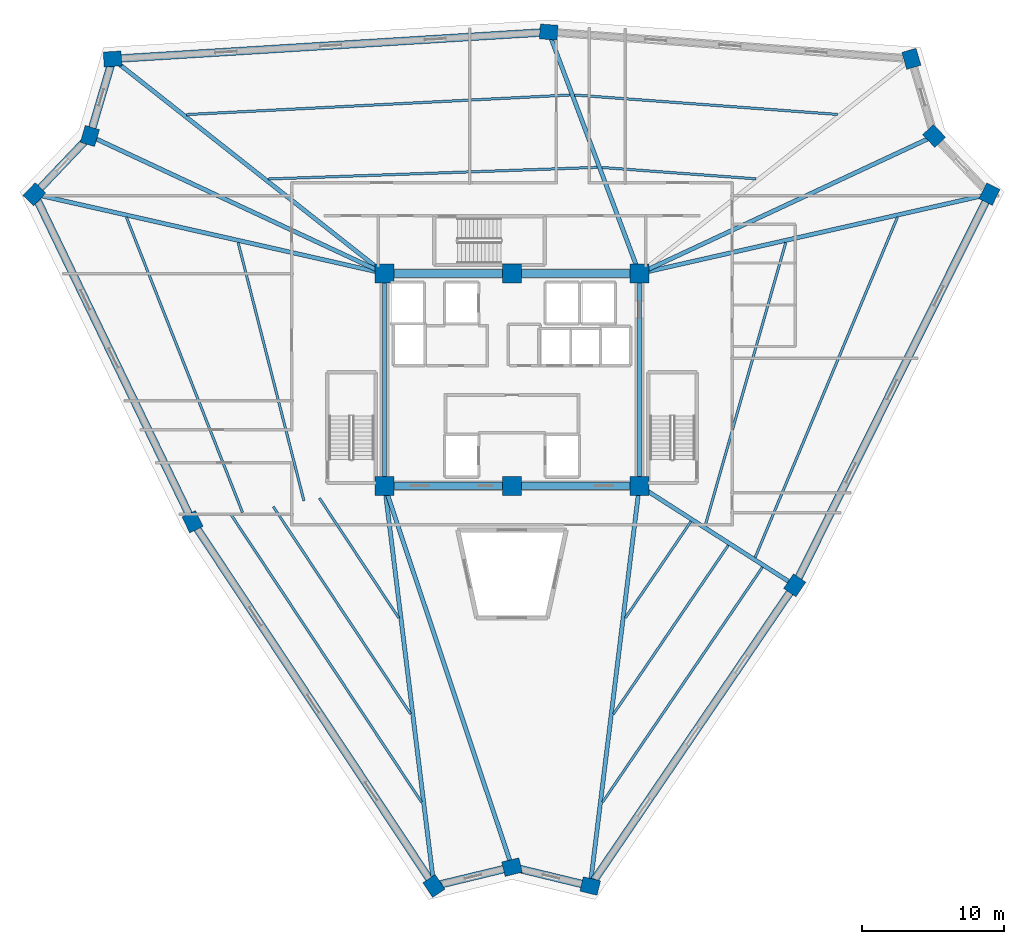
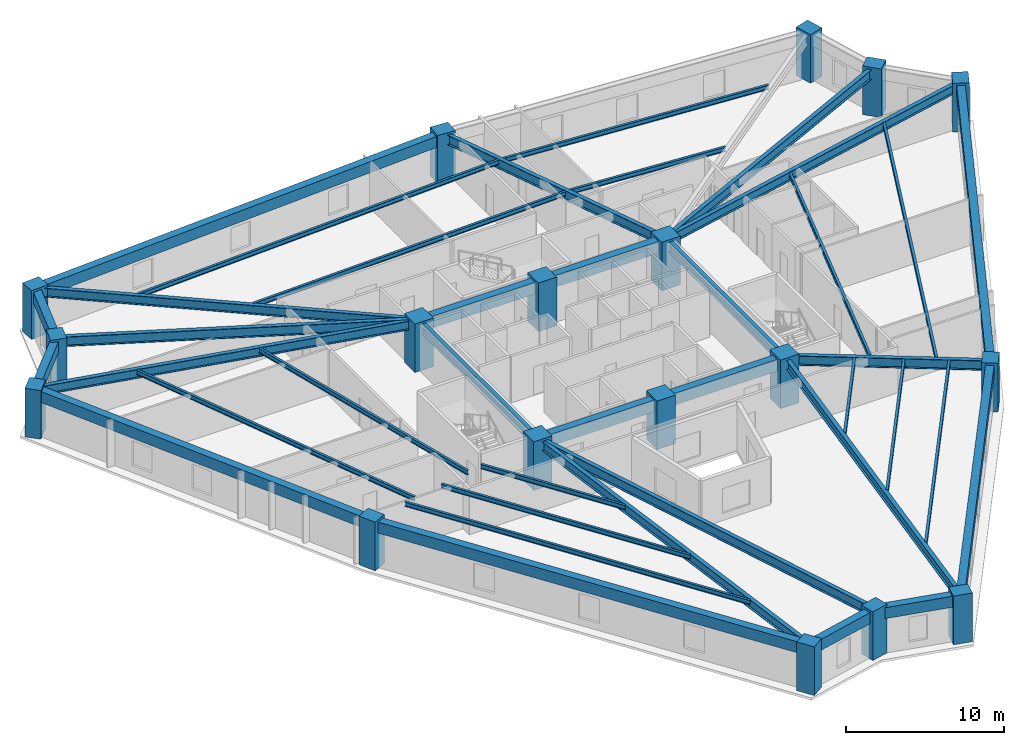
# One storey, part 1 of 8: 39 beams, 18 columns.
"""IFC4 building model written with IfcOpenShell, lengths in metres."""

from ifc_helpers import new_model, si_unit, direction, frame, origin, origin_2d, place, context, subcontext, project, spatial, rectangle, i_section, extrude, source, transform, mapped, material, material_profile, profile_set, type_object, element, save


model = new_model("IFC4")

# Units and contexts
model_context = context("Model", 3, precision=1e-05, world=origin(), true_north=direction((0.0, 1.0)))
body_context = subcontext(model_context, "Body", "Model", "MODEL_VIEW")
ifc_project = project(units=[si_unit("LENGTHUNIT", "METRE"), si_unit("AREAUNIT", "SQUARE_METRE"), si_unit("VOLUMEUNIT", "CUBIC_METRE"), si_unit("PLANEANGLEUNIT", "RADIAN"), si_unit("MASSUNIT", "GRAM", prefix="KILO")], contexts=[model_context])

# Site, building, storey
site_placement = place(None, origin())
site = spatial("IfcSite", under=ifc_project, at=site_placement, CompositionType="ELEMENT")
building_placement = place(site_placement, origin())
building = spatial("IfcBuilding", under=site, at=building_placement, Name="Liaohun Quay Tower", CompositionType="ELEMENT")
storey_placement = place(building_placement, frame((0.0, 0.0, 205.5)))
storey = spatial("IfcBuildingStorey", under=building, at=storey_placement, Name="L53", CompositionType="ELEMENT", Elevation=205.5)

# Columns
ifc_material_1 = material(Name="Concrete C55", Category="concrete")
ifc_material_profile_1 = material_profile(ifc_material_1, rectangle(XDim=1.35009765625, YDim=1.35009765625, at=origin_2d()), Name="RC1350x1350")
ifc_profile_set_1 = profile_set([ifc_material_profile_1], Name="Concrete C55")
column_type_1 = type_object("IfcColumnType", Name="COL-CC-Z3", PredefinedType="COLUMN", material=ifc_profile_set_1)
shared_shape_1 = source(origin(), body_context, "Body", "SweptSolid", [
    extrude(rectangle(XDim=1.35009765625, YDim=1.35009765625, at=origin_2d()), origin(), (0.0, 0.0, 1.0), 3.75),
])
for number, where, z_axis, x_axis, name in (
    (1, (51.0, 46.5, 0.0), (0.0, 0.0, 1.0), (1.0, 0.0, 0.0), "L53 Core Column CC1"),
    (2, (60.0, 46.5, 0.0), (0.0, 0.0, 1.0), (1.0, 0.0, 0.0), "L53 Core Column CC2"),
    (3, (69.0, 46.5, 0.0), (0.0, 0.0, 1.0), (1.0, 0.0, 0.0), "L53 Core Column CC3"),
    (4, (69.0, 61.5, 0.0), (0.0, 0.0, 1.0), (1.0, 0.0, 0.0), "L53 Core Column CC4"),
    (5, (60.0, 61.5, 0.0), (0.0, 0.0, 1.0), (1.0, 0.0, 0.0), "L53 Core Column CC5"),
    (6, (51.0, 61.5, 0.0), (0.0, 0.0, 1.0), (1.0, 0.0, 0.0), "L53 Core Column CC6"),
):
    element("IfcColumn", number, at=place(storey_placement, frame(where, z_axis=z_axis, x_axis=x_axis)), inside=storey, type_object=column_type_1, Name=name, PredefinedType="COLUMN", context=body_context, shape_type="MappedRepresentation", body=[
        mapped(shared_shape_1, transform((0.0, 0.0, 0.0), x_axis=(1.0, 0.0, 0.0), y_axis=(0.0, 1.0, 0.0), z_axis=(0.0, 0.0, 1.0), scale=1.0)),
    ])
ifc_material_profile_2 = material_profile(ifc_material_1, rectangle(XDim=1.25, YDim=1.050048828125, at=origin_2d()), Name="RC1250x1050")
ifc_profile_set_2 = profile_set([ifc_material_profile_2], Name="Concrete C55")
column_type_2 = type_object("IfcColumnType", Name="COL-PIER-Z3", PredefinedType="COLUMN", material=ifc_profile_set_2)
shared_shape_2 = source(origin(), body_context, "Body", "SweptSolid", [
    extrude(rectangle(XDim=1.25, YDim=1.050048828125, at=origin_2d()), origin(), (0.0, 0.0, 1.0), 3.75),
])
for number, where, z_axis, x_axis, name in (
    (7, (54.48388671875, 18.22998046875, 0.0), (0.0, 0.0, 1.0), (-0.552373531229, 0.833596714243, 0.0), "L53 Perimeter Pier PC01"),
    (8, (37.431884765625, 43.964111328125, 0.0), (0.0, 0.0, 1.0), (-0.434916802325, 0.900470640862, 0.0), "L53 Perimeter Pier PC02"),
    (9, (26.259033203125, 67.10302734375, 0.0), (0.0, 0.0, 1.0), (0.68936671806, 0.724412539946, 0.0), "L53 Perimeter Pier PC03"),
    (10, (30.176025390625, 71.218994140625, 0.0), (0.0, 0.0, 1.0), (0.282676303383, 0.959215360337, 0.0), "L53 Perimeter Pier PC04"),
    (11, (31.780029296875, 76.662109375, 0.0), (0.0, 0.0, 1.0), (0.998102696661, 0.061571153301, 0.0), "L53 Perimeter Pier PC05"),
    (12, (62.593017578125, 78.56201171875, 0.0), (0.0, 0.0, 1.0), (-0.997288851512, 0.073586321085, 0.0), "L53 Perimeter Pier PC06"),
    (13, (88.218017578125, 76.669921875, 0.0), (0.0, 0.0, 1.0), (-0.282676303383, 0.959215360337, 0.0), "L53 Perimeter Pier PC07"),
    (14, (89.823974609375, 71.218994140625, 0.0), (0.0, 0.0, 1.0), (-0.68936671806, 0.724412539946, 0.0), "L53 Perimeter Pier PC08"),
    (15, (93.736083984375, 67.10888671875, 0.0), (0.0, 0.0, 1.0), (0.445729165431, 0.895167867544, 0.0), "L53 Perimeter Pier PC09"),
    (16, (79.97509765625, 39.472900390625, 0.0), (0.0, 0.0, 1.0), (0.562516359159, 0.826786154745, 0.0), "L53 Perimeter Pier PC10"),
    (17, (65.52294921875, 18.22802734375, 0.0), (0.0, 0.0, 1.0), (-0.972043021443, 0.234802820391, 0.0), "L53 Perimeter Pier PC11"),
    (18, (60.0, 19.56201171875, 0.0), (0.0, 0.0, 1.0), (0.972043021443, 0.234802820391, 0.0), "L53 Perimeter Pier PC12"),
):
    element("IfcColumn", number, at=place(storey_placement, frame(where, z_axis=z_axis, x_axis=x_axis)), inside=storey, type_object=column_type_2, Name=name, PredefinedType="COLUMN", context=body_context, shape_type="MappedRepresentation", body=[
        mapped(shared_shape_2, transform((0.0, 0.0, 0.0), x_axis=(1.0, 0.0, 0.0), y_axis=(0.0, 1.0, 0.0), z_axis=(0.0, 0.0, 1.0), scale=1.0)),
    ])

# Beams
ifc_material_2 = material(Name="Steel Q355D", Category="steel")
ifc_material_profile_3 = material_profile(ifc_material_2, i_section(OverallWidth=0.300048828125, OverallDepth=0.800048828125, WebThickness=0.013916015625, FlangeThickness=0.02587890625, at=origin_2d()), Name="HN800x300x14x26")
ifc_profile_set_3 = profile_set([ifc_material_profile_3], Name="Steel Q355D")
beam_type_1 = type_object("IfcBeamType", Name="BM-RAD-M1", PredefinedType="BEAM", material=ifc_profile_set_3)
shared_shape_3 = source(origin(), body_context, "Body", "SweptSolid", [
    extrude(i_section(OverallWidth=0.300048828125, OverallDepth=0.800048828125, WebThickness=0.013916015625, FlangeThickness=0.02587890625, at=origin_2d()), origin(), (0.0, 0.0, 1.0), 15.0),
])
for number, where, z_axis, x_axis, name in (
    (19, (69.0, 46.5, 3.169921875), (0.0, 1.0, 0.0), (-1.0, 0.0, 0.0), "L53 Core Coupling/Ring Beam CC3-CC4"),
    (20, (51.0, 61.5, 3.169921875), (0.0, -1.0, 0.0), (1.0, 0.0, 0.0), "L53 Core Coupling/Ring Beam CC6-CC1"),
):
    element("IfcBeam", number, at=place(storey_placement, frame(where, z_axis=z_axis, x_axis=x_axis)), inside=storey, type_object=beam_type_1, Name=name, PredefinedType="BEAM", context=body_context, shape_type="MappedRepresentation", body=[
        mapped(shared_shape_3, transform((0.0, 0.0, 0.0), x_axis=(1.0, 0.0, 0.0), y_axis=(0.0, 1.0, 0.0), z_axis=(0.0, 0.0, 1.0), scale=1.0)),
    ])
ifc_material_profile_4 = material_profile(ifc_material_1, rectangle(XDim=0.550048828125, YDim=0.89990234375, at=origin_2d()), Name="RC550x900")
ifc_profile_set_4 = profile_set([ifc_material_profile_4], Name="Concrete C55")
beam_type_2 = type_object("IfcBeamType", Name="BM-CPL-2", PredefinedType="LINTEL", material=ifc_profile_set_4)
shared_shape_4 = source(origin(), body_context, "Body", "SweptSolid", [
    extrude(rectangle(XDim=0.550048828125, YDim=0.89990234375, at=origin_2d()), origin(), (0.0, 0.0, 1.0), 9.0),
])
for number, where, z_axis, x_axis, name in (
    (21, (51.0, 46.5, 3.1201171875), (1.0, 0.0, 0.0), (0.0, 1.0, 0.0), "L53 Core Coupling/Ring Beam CC1-CC2"),
    (22, (60.0, 46.5, 3.1201171875), (1.0, 0.0, 0.0), (0.0, 1.0, 0.0), "L53 Core Coupling/Ring Beam CC2-CC3"),
    (23, (69.0, 61.5, 3.1201171875), (-1.0, 0.0, 0.0), (0.0, -1.0, 0.0), "L53 Core Coupling/Ring Beam CC4-CC5"),
    (24, (60.0, 61.5, 3.1201171875), (-1.0, 0.0, 0.0), (0.0, -1.0, 0.0), "L53 Core Coupling/Ring Beam CC5-CC6"),
):
    element("IfcBeam", number, at=place(storey_placement, frame(where, z_axis=z_axis, x_axis=x_axis)), inside=storey, type_object=beam_type_2, Name=name, PredefinedType="LINTEL", context=body_context, shape_type="MappedRepresentation", body=[
        mapped(shared_shape_4, transform((0.0, 0.0, 0.0), x_axis=(1.0, 0.0, 0.0), y_axis=(0.0, 1.0, 0.0), z_axis=(0.0, 0.0, 1.0), scale=1.0)),
    ])
ifc_material_profile_5 = material_profile(ifc_material_2, i_section(OverallWidth=0.300048828125, OverallDepth=0.699951171875, WebThickness=0.012939453125, FlangeThickness=0.02392578125, at=origin_2d()), Name="HN700x300x13x24")
ifc_profile_set_5 = profile_set([ifc_material_profile_5], Name="Steel Q355D")
beam_type_3 = type_object("IfcBeamType", Name="BM-RAD-U1", PredefinedType="BEAM", material=ifc_profile_set_5)
shared_shape_5 = source(origin(), body_context, "Body", "SweptSolid", [
    extrude(i_section(OverallWidth=0.300048828125, OverallDepth=0.699951171875, WebThickness=0.012939453125, FlangeThickness=0.02392578125, at=origin_2d()), origin(), (0.0, 0.0, 1.0), 28.48388671875),
])
beam_1_placement = place(storey_placement, frame((51.0, 46.5, 3.219970703125), z_axis=(0.122310816118, -0.992491845942, 0.0), x_axis=(0.992491845942, 0.122310816118, 0.0)))
element("IfcBeam", 25, at=beam_1_placement, inside=storey, type_object=beam_type_3, Name="L53 Radial Primary Girder CC1-PC01", PredefinedType="BEAM", context=body_context, shape_type="MappedRepresentation", body=[
    mapped(shared_shape_5, transform((0.0, 0.0, 0.0), x_axis=(1.0, 0.0, 0.0), y_axis=(0.0, 1.0, 0.0), z_axis=(0.0, 0.0, 1.0), scale=1.0)),
])
shared_shape_6 = source(origin(), body_context, "Body", "SweptSolid", [
    extrude(i_section(OverallWidth=0.300048828125, OverallDepth=0.699951171875, WebThickness=0.012939453125, FlangeThickness=0.02392578125, at=origin_2d()), origin(), (0.0, 0.0, 1.0), 25.367431640625),
])
beam_2_placement = place(storey_placement, frame((51.0, 61.5, 3.219970703125), z_axis=(-0.975302268925, 0.220874362998, 0.0), x_axis=(-0.220874362998, -0.975302268925, 0.0)))
element("IfcBeam", 26, at=beam_2_placement, inside=storey, type_object=beam_type_3, Name="L53 Radial Primary Girder CC6-PC03", PredefinedType="BEAM", context=body_context, shape_type="MappedRepresentation", body=[
    mapped(shared_shape_6, transform((0.0, 0.0, 0.0), x_axis=(1.0, 0.0, 0.0), y_axis=(0.0, 1.0, 0.0), z_axis=(0.0, 0.0, 1.0), scale=1.0)),
])
ifc_material_profile_6 = material_profile(ifc_material_2, i_section(OverallWidth=0.300048828125, OverallDepth=0.75, WebThickness=0.013916015625, FlangeThickness=0.02587890625, at=origin_2d()), Name="HN750x300x14x26")
ifc_profile_set_6 = profile_set([ifc_material_profile_6], Name="Steel Q355D")
beam_type_4 = type_object("IfcBeamType", Name="BM-RAD-M2", PredefinedType="BEAM", material=ifc_profile_set_6)
shared_shape_7 = source(origin(), body_context, "Body", "SweptSolid", [
    extrude(i_section(OverallWidth=0.300048828125, OverallDepth=0.75, WebThickness=0.013916015625, FlangeThickness=0.02587890625, at=origin_2d()), origin(), (0.0, 0.0, 1.0), 22.98046875),
])
for number, where, z_axis, x_axis, name in (
    (27, (51.0, 61.5, 3.195068359375), (-0.906164140165, 0.422926176867, 0.0), (-0.422926176867, -0.906164140165, 0.0), "L53 Radial Primary Girder CC6-PC04"),
    (28, (69.0, 61.5, 3.195068359375), (0.906164140165, 0.422926176867, 0.0), (-0.422926176867, 0.906164140165, 0.0), "L53 Radial Primary Girder CC4-PC08"),
):
    element("IfcBeam", number, at=place(storey_placement, frame(where, z_axis=z_axis, x_axis=x_axis)), inside=storey, type_object=beam_type_4, Name=name, PredefinedType="BEAM", context=body_context, shape_type="MappedRepresentation", body=[
        mapped(shared_shape_7, transform((0.0, 0.0, 0.0), x_axis=(1.0, 0.0, 0.0), y_axis=(0.0, 1.0, 0.0), z_axis=(0.0, 0.0, 1.0), scale=1.0)),
    ])
shared_shape_8 = source(origin(), body_context, "Body", "SweptSolid", [
    extrude(i_section(OverallWidth=0.300048828125, OverallDepth=0.699951171875, WebThickness=0.012939453125, FlangeThickness=0.02392578125, at=origin_2d()), origin(), (0.0, 0.0, 1.0), 24.48046875),
])
beam_3_placement = place(storey_placement, frame((51.0, 61.5, 3.219970703125), z_axis=(-0.785112206262, 0.619353552972, 0.0), x_axis=(-0.619353552972, -0.785112206262, 0.0)))
element("IfcBeam", 29, at=beam_3_placement, inside=storey, type_object=beam_type_3, Name="L53 Radial Primary Girder CC6-PC05", PredefinedType="BEAM", context=body_context, shape_type="MappedRepresentation", body=[
    mapped(shared_shape_8, transform((0.0, 0.0, 0.0), x_axis=(1.0, 0.0, 0.0), y_axis=(0.0, 1.0, 0.0), z_axis=(0.0, 0.0, 1.0), scale=1.0)),
])
shared_shape_9 = source(origin(), body_context, "Body", "SweptSolid", [
    extrude(i_section(OverallWidth=0.300048828125, OverallDepth=0.75, WebThickness=0.013916015625, FlangeThickness=0.02587890625, at=origin_2d()), origin(), (0.0, 0.0, 1.0), 18.225341796875),
])
beam_4_placement = place(storey_placement, frame((69.0, 61.5, 3.195068359375), z_axis=(-0.351543260444, 0.936171638129, 0.0), x_axis=(-0.936171638129, -0.351543260444, 0.0)))
element("IfcBeam", 30, at=beam_4_placement, inside=storey, type_object=beam_type_4, Name="L53 Radial Primary Girder CC4-PC06", PredefinedType="BEAM", context=body_context, shape_type="MappedRepresentation", body=[
    mapped(shared_shape_9, transform((0.0, 0.0, 0.0), x_axis=(1.0, 0.0, 0.0), y_axis=(0.0, 1.0, 0.0), z_axis=(0.0, 0.0, 1.0), scale=1.0)),
])
shared_shape_10 = source(origin(), body_context, "Body", "SweptSolid", [
    extrude(i_section(OverallWidth=0.300048828125, OverallDepth=0.699951171875, WebThickness=0.012939453125, FlangeThickness=0.02392578125, at=origin_2d()), origin(), (0.0, 0.0, 1.0), 25.364013671875),
])
beam_5_placement = place(storey_placement, frame((69.0, 61.5, 3.219970703125), z_axis=(0.975243077995, 0.221135566615, 0.0), x_axis=(-0.221135566615, 0.975243077995, 0.0)))
element("IfcBeam", 31, at=beam_5_placement, inside=storey, type_object=beam_type_3, Name="L53 Radial Primary Girder CC4-PC09", PredefinedType="BEAM", context=body_context, shape_type="MappedRepresentation", body=[
    mapped(shared_shape_10, transform((0.0, 0.0, 0.0), x_axis=(1.0, 0.0, 0.0), y_axis=(0.0, 1.0, 0.0), z_axis=(0.0, 0.0, 1.0), scale=1.0)),
])
shared_shape_11 = source(origin(), body_context, "Body", "SweptSolid", [
    extrude(i_section(OverallWidth=0.300048828125, OverallDepth=0.75, WebThickness=0.013916015625, FlangeThickness=0.02587890625, at=origin_2d()), origin(), (0.0, 0.0, 1.0), 13.031982421875),
])
beam_6_placement = place(storey_placement, frame((69.0, 46.5, 3.195068359375), z_axis=(0.842165572756, -0.539219016787, 0.0), x_axis=(0.539219016787, 0.842165572756, 0.0)))
element("IfcBeam", 32, at=beam_6_placement, inside=storey, type_object=beam_type_4, Name="L53 Radial Primary Girder CC3-PC10", PredefinedType="BEAM", context=body_context, shape_type="MappedRepresentation", body=[
    mapped(shared_shape_11, transform((0.0, 0.0, 0.0), x_axis=(1.0, 0.0, 0.0), y_axis=(0.0, 1.0, 0.0), z_axis=(0.0, 0.0, 1.0), scale=1.0)),
])
shared_shape_12 = source(origin(), body_context, "Body", "SweptSolid", [
    extrude(i_section(OverallWidth=0.300048828125, OverallDepth=0.699951171875, WebThickness=0.012939453125, FlangeThickness=0.02392578125, at=origin_2d()), origin(), (0.0, 0.0, 1.0), 28.48486328125),
])
beam_7_placement = place(storey_placement, frame((69.0, 46.5, 3.219970703125), z_axis=(-0.122066095149, -0.992521973769, 0.0), x_axis=(0.992521973769, -0.122066095149, 0.0)))
element("IfcBeam", 33, at=beam_7_placement, inside=storey, type_object=beam_type_3, Name="L53 Radial Primary Girder CC3-PC11", PredefinedType="BEAM", context=body_context, shape_type="MappedRepresentation", body=[
    mapped(shared_shape_12, transform((0.0, 0.0, 0.0), x_axis=(1.0, 0.0, 0.0), y_axis=(0.0, 1.0, 0.0), z_axis=(0.0, 0.0, 1.0), scale=1.0)),
])
shared_shape_13 = source(origin(), body_context, "Body", "SweptSolid", [
    extrude(i_section(OverallWidth=0.300048828125, OverallDepth=0.75, WebThickness=0.013916015625, FlangeThickness=0.02587890625, at=origin_2d()), origin(), (0.0, 0.0, 1.0), 28.401611328125),
])
beam_8_placement = place(storey_placement, frame((51.0, 46.5, 3.195068359375), z_axis=(0.316882705348, -0.948464733689, 0.0), x_axis=(0.948464733689, 0.316882705348, 0.0)))
element("IfcBeam", 34, at=beam_8_placement, inside=storey, type_object=beam_type_4, Name="L53 Radial Primary Girder CC1-PC12", PredefinedType="BEAM", context=body_context, shape_type="MappedRepresentation", body=[
    mapped(shared_shape_13, transform((0.0, 0.0, 0.0), x_axis=(1.0, 0.0, 0.0), y_axis=(0.0, 1.0, 0.0), z_axis=(0.0, 0.0, 1.0), scale=1.0)),
])
ifc_material_profile_7 = material_profile(ifc_material_2, i_section(OverallWidth=0.175048828125, OverallDepth=0.35009765625, WebThickness=0.007080078125, FlangeThickness=0.010986328125, at=origin_2d()), Name="HN350x175x7x11")
ifc_profile_set_7 = profile_set([ifc_material_profile_7], Name="Steel Q355D")
beam_type_5 = type_object("IfcBeamType", Name="BM-SEC-J3", PredefinedType="JOIST", material=ifc_profile_set_7)
shared_shape_14 = source(origin(), body_context, "Body", "SweptSolid", [
    extrude(i_section(OverallWidth=0.175048828125, OverallDepth=0.35009765625, WebThickness=0.007080078125, FlangeThickness=0.010986328125, at=origin_2d()), origin(), (0.0, 0.0, 1.0), 10.160400390625),
])
beam_9_placement = place(storey_placement, frame((51.9990234375, 37.16796875, 3.39501953125), z_axis=(-0.552341337605, 0.833618046093, 0.0), x_axis=(-0.833618046093, -0.552341337605, 0.0)))
element("IfcBeam", 35, at=beam_9_placement, inside=storey, type_object=beam_type_5, Name="L53 Wing Secondary Floor Joist SJ-01", PredefinedType="JOIST", context=body_context, shape_type="MappedRepresentation", body=[
    mapped(shared_shape_14, transform((0.0, 0.0, 0.0), x_axis=(1.0, 0.0, 0.0), y_axis=(0.0, 1.0, 0.0), z_axis=(0.0, 0.0, 1.0), scale=1.0)),
])
shared_shape_15 = source(origin(), body_context, "Body", "SweptSolid", [
    extrude(i_section(OverallWidth=0.175048828125, OverallDepth=0.35009765625, WebThickness=0.007080078125, FlangeThickness=0.010986328125, at=origin_2d()), origin(), (0.0, 0.0, 1.0), 17.568115234375),
])
beam_10_placement = place(storey_placement, frame((52.8349609375, 30.384033203125, 3.39501953125), z_axis=(-0.552353721459, 0.833609840627, 0.0), x_axis=(-0.833609840627, -0.552353721459, 0.0)))
element("IfcBeam", 36, at=beam_10_placement, inside=storey, type_object=beam_type_5, Name="L53 Wing Secondary Floor Joist SJ-02", PredefinedType="JOIST", context=body_context, shape_type="MappedRepresentation", body=[
    mapped(shared_shape_15, transform((0.0, 0.0, 0.0), x_axis=(1.0, 0.0, 0.0), y_axis=(0.0, 1.0, 0.0), z_axis=(0.0, 0.0, 1.0), scale=1.0)),
])
shared_shape_16 = source(origin(), body_context, "Body", "SweptSolid", [
    extrude(i_section(OverallWidth=0.175048828125, OverallDepth=0.35009765625, WebThickness=0.007080078125, FlangeThickness=0.010986328125, at=origin_2d()), origin(), (0.0, 0.0, 1.0), 24.360595703125),
])
beam_11_placement = place(storey_placement, frame((53.60205078125, 24.1640625, 3.39501953125), z_axis=(-0.552371386641, 0.833598135327, 0.0), x_axis=(-0.833598135327, -0.552371386641, 0.0)))
element("IfcBeam", 37, at=beam_11_placement, inside=storey, type_object=beam_type_5, Name="L53 Wing Secondary Floor Joist SJ-03", PredefinedType="JOIST", context=body_context, shape_type="MappedRepresentation", body=[
    mapped(shared_shape_16, transform((0.0, 0.0, 0.0), x_axis=(1.0, 0.0, 0.0), y_axis=(0.0, 1.0, 0.0), z_axis=(0.0, 0.0, 1.0), scale=1.0)),
])
shared_shape_17 = source(origin(), body_context, "Body", "SweptSolid", [
    extrude(i_section(OverallWidth=0.175048828125, OverallDepth=0.35009765625, WebThickness=0.007080078125, FlangeThickness=0.010986328125, at=origin_2d()), origin(), (0.0, 0.0, 1.0), 18.838134765625),
])
beam_12_placement = place(storey_placement, frame((45.301025390625, 45.43505859375, 3.39501953125), z_axis=(-0.246899907141, 0.969040987706, 0.0), x_axis=(-0.969040987706, -0.246899907141, 0.0)))
element("IfcBeam", 38, at=beam_12_placement, inside=storey, type_object=beam_type_5, Name="L53 Wing Secondary Floor Joist SJ-04", PredefinedType="JOIST", context=body_context, shape_type="MappedRepresentation", body=[
    mapped(shared_shape_17, transform((0.0, 0.0, 0.0), x_axis=(1.0, 0.0, 0.0), y_axis=(0.0, 1.0, 0.0), z_axis=(0.0, 0.0, 1.0), scale=1.0)),
])
shared_shape_18 = source(origin(), body_context, "Body", "SweptSolid", [
    extrude(i_section(OverallWidth=0.175048828125, OverallDepth=0.35009765625, WebThickness=0.007080078125, FlangeThickness=0.010986328125, at=origin_2d()), origin(), (0.0, 0.0, 1.0), 22.408935546875),
])
beam_13_placement = place(storey_placement, frame((40.9599609375, 44.623046875, 3.39501953125), z_axis=(-0.366010320343, 0.930610791578, 0.0), x_axis=(-0.930610791578, -0.366010320343, 0.0)))
element("IfcBeam", 39, at=beam_13_placement, inside=storey, type_object=beam_type_5, Name="L53 Wing Secondary Floor Joist SJ-05", PredefinedType="JOIST", context=body_context, shape_type="MappedRepresentation", body=[
    mapped(shared_shape_18, transform((0.0, 0.0, 0.0), x_axis=(1.0, 0.0, 0.0), y_axis=(0.0, 1.0, 0.0), z_axis=(0.0, 0.0, 1.0), scale=1.0)),
])
shared_shape_19 = source(origin(), body_context, "Body", "SweptSolid", [
    extrude(i_section(OverallWidth=0.175048828125, OverallDepth=0.35009765625, WebThickness=0.007080078125, FlangeThickness=0.010986328125, at=origin_2d()), origin(), (0.0, 0.0, 1.0), 23.2626953125),
])
beam_14_placement = place(storey_placement, frame((42.77490234375, 68.178955078125, 3.39501953125), z_axis=(0.999373982167, 0.035378577815, 0.0), x_axis=(-0.035378577815, 0.999373982167, 0.0)))
element("IfcBeam", 40, at=beam_14_placement, inside=storey, type_object=beam_type_5, Name="L53 Wing Secondary Floor Joist SJ-06", PredefinedType="JOIST", context=body_context, shape_type="MappedRepresentation", body=[
    mapped(shared_shape_19, transform((0.0, 0.0, 0.0), x_axis=(1.0, 0.0, 0.0), y_axis=(0.0, 1.0, 0.0), z_axis=(0.0, 0.0, 1.0), scale=1.0)),
])
shared_shape_20 = source(origin(), body_context, "Body", "SweptSolid", [
    extrude(i_section(OverallWidth=0.175048828125, OverallDepth=0.35009765625, WebThickness=0.007080078125, FlangeThickness=0.010986328125, at=origin_2d()), origin(), (0.0, 0.0, 1.0), 27.132568359375),
])
beam_15_placement = place(storey_placement, frame((37.0048828125, 72.73193359375, 3.39501953125), z_axis=(0.998694463673, 0.051081975586, 0.0), x_axis=(-0.051081975586, 0.998694463673, 0.0)))
element("IfcBeam", 41, at=beam_15_placement, inside=storey, type_object=beam_type_5, Name="L53 Wing Secondary Floor Joist SJ-07", PredefinedType="JOIST", context=body_context, shape_type="MappedRepresentation", body=[
    mapped(shared_shape_20, transform((0.0, 0.0, 0.0), x_axis=(1.0, 0.0, 0.0), y_axis=(0.0, 1.0, 0.0), z_axis=(0.0, 0.0, 1.0), scale=1.0)),
])
shared_shape_21 = source(origin(), body_context, "Body", "SweptSolid", [
    extrude(i_section(OverallWidth=0.175048828125, OverallDepth=0.35009765625, WebThickness=0.007080078125, FlangeThickness=0.010986328125, at=origin_2d()), origin(), (0.0, 0.0, 1.0), 10.918701171875),
])
beam_16_placement = place(storey_placement, frame((66.345947265625, 68.9951171875, 3.39501953125), z_axis=(0.99728395866, -0.073652602122, 0.0), x_axis=(0.073652602122, 0.99728395866, 0.0)))
element("IfcBeam", 42, at=beam_16_placement, inside=storey, type_object=beam_type_5, Name="L53 Wing Secondary Floor Joist SJ-08", PredefinedType="JOIST", context=body_context, shape_type="MappedRepresentation", body=[
    mapped(shared_shape_21, transform((0.0, 0.0, 0.0), x_axis=(1.0, 0.0, 0.0), y_axis=(0.0, 1.0, 0.0), z_axis=(0.0, 0.0, 1.0), scale=1.0)),
])
shared_shape_22 = source(origin(), body_context, "Body", "SweptSolid", [
    extrude(i_section(OverallWidth=0.175048828125, OverallDepth=0.35009765625, WebThickness=0.007080078125, FlangeThickness=0.010986328125, at=origin_2d()), origin(), (0.0, 0.0, 1.0), 18.62646484375),
])
beam_17_placement = place(storey_placement, frame((64.424072265625, 74.114013671875, 3.39501953125), z_axis=(0.997283253591, -0.073662148398, 0.0), x_axis=(0.073662148398, 0.997283253591, 0.0)))
element("IfcBeam", 43, at=beam_17_placement, inside=storey, type_object=beam_type_5, Name="L53 Wing Secondary Floor Joist SJ-09", PredefinedType="JOIST", context=body_context, shape_type="MappedRepresentation", body=[
    mapped(shared_shape_22, transform((0.0, 0.0, 0.0), x_axis=(1.0, 0.0, 0.0), y_axis=(0.0, 1.0, 0.0), z_axis=(0.0, 0.0, 1.0), scale=1.0)),
])
shared_shape_23 = source(origin(), body_context, "Body", "SweptSolid", [
    extrude(i_section(OverallWidth=0.175048828125, OverallDepth=0.35009765625, WebThickness=0.007080078125, FlangeThickness=0.010986328125, at=origin_2d()), origin(), (0.0, 0.0, 1.0), 20.785888671875),
])
beam_18_placement = place(storey_placement, frame((79.342041015625, 63.69091796875, 3.39501953125), z_axis=(-0.273740568451, -0.961803566839, 0.0), x_axis=(0.961803566839, -0.273740568451, 0.0)))
element("IfcBeam", 44, at=beam_18_placement, inside=storey, type_object=beam_type_5, Name="L53 Wing Secondary Floor Joist SJ-10", PredefinedType="JOIST", context=body_context, shape_type="MappedRepresentation", body=[
    mapped(shared_shape_23, transform((0.0, 0.0, 0.0), x_axis=(1.0, 0.0, 0.0), y_axis=(0.0, 1.0, 0.0), z_axis=(0.0, 0.0, 1.0), scale=1.0)),
])
shared_shape_24 = source(origin(), body_context, "Body", "SweptSolid", [
    extrude(i_section(OverallWidth=0.175048828125, OverallDepth=0.35009765625, WebThickness=0.007080078125, FlangeThickness=0.010986328125, at=origin_2d()), origin(), (0.0, 0.0, 1.0), 26.0576171875),
])
beam_19_placement = place(storey_placement, frame((87.23388671875, 65.48095703125, 3.39501953125), z_axis=(-0.385833824036, -0.922568295699, 0.0), x_axis=(0.922568295699, -0.385833824036, 0.0)))
element("IfcBeam", 45, at=beam_19_placement, inside=storey, type_object=beam_type_5, Name="L53 Wing Secondary Floor Joist SJ-11", PredefinedType="JOIST", context=body_context, shape_type="MappedRepresentation", body=[
    mapped(shared_shape_24, transform((0.0, 0.0, 0.0), x_axis=(1.0, 0.0, 0.0), y_axis=(0.0, 1.0, 0.0), z_axis=(0.0, 0.0, 1.0), scale=1.0)),
])
shared_shape_25 = source(origin(), body_context, "Body", "SweptSolid", [
    extrude(i_section(OverallWidth=0.175048828125, OverallDepth=0.35009765625, WebThickness=0.007080078125, FlangeThickness=0.010986328125, at=origin_2d()), origin(), (0.0, 0.0, 1.0), 8.25830078125),
])
beam_20_placement = place(storey_placement, frame((72.64697265625, 43.987060546875, 3.39501953125), z_axis=(-0.562466883135, -0.826819814334, 0.0), x_axis=(0.826819814334, -0.562466883135, 0.0)))
element("IfcBeam", 46, at=beam_20_placement, inside=storey, type_object=beam_type_5, Name="L53 Wing Secondary Floor Joist SJ-12", PredefinedType="JOIST", context=body_context, shape_type="MappedRepresentation", body=[
    mapped(shared_shape_25, transform((0.0, 0.0, 0.0), x_axis=(1.0, 0.0, 0.0), y_axis=(0.0, 1.0, 0.0), z_axis=(0.0, 0.0, 1.0), scale=1.0)),
])
shared_shape_26 = source(origin(), body_context, "Body", "SweptSolid", [
    extrude(i_section(OverallWidth=0.175048828125, OverallDepth=0.35009765625, WebThickness=0.007080078125, FlangeThickness=0.010986328125, at=origin_2d()), origin(), (0.0, 0.0, 1.0), 14.4248046875),
])
beam_21_placement = place(storey_placement, frame((75.281005859375, 42.300048828125, 3.39501953125), z_axis=(-0.562436860197, -0.826840237465, 0.0), x_axis=(0.826840237465, -0.562436860197, 0.0)))
element("IfcBeam", 47, at=beam_21_placement, inside=storey, type_object=beam_type_5, Name="L53 Wing Secondary Floor Joist SJ-13", PredefinedType="JOIST", context=body_context, shape_type="MappedRepresentation", body=[
    mapped(shared_shape_26, transform((0.0, 0.0, 0.0), x_axis=(1.0, 0.0, 0.0), y_axis=(0.0, 1.0, 0.0), z_axis=(0.0, 0.0, 1.0), scale=1.0)),
])
shared_shape_27 = source(origin(), body_context, "Body", "SweptSolid", [
    extrude(i_section(OverallWidth=0.175048828125, OverallDepth=0.35009765625, WebThickness=0.007080078125, FlangeThickness=0.010986328125, at=origin_2d()), origin(), (0.0, 0.0, 1.0), 20.076904296875),
])
beam_22_placement = place(storey_placement, frame((77.696044921875, 40.75390625, 3.39501953125), z_axis=(-0.562482633568, -0.826809099451, 0.0), x_axis=(0.826809099451, -0.562482633568, 0.0)))
element("IfcBeam", 48, at=beam_22_placement, inside=storey, type_object=beam_type_5, Name="L53 Wing Secondary Floor Joist SJ-14", PredefinedType="JOIST", context=body_context, shape_type="MappedRepresentation", body=[
    mapped(shared_shape_27, transform((0.0, 0.0, 0.0), x_axis=(1.0, 0.0, 0.0), y_axis=(0.0, 1.0, 0.0), z_axis=(0.0, 0.0, 1.0), scale=1.0)),
])
ifc_material_3 = material(Name="Precast concrete C50", Category="concrete")
ifc_material_profile_8 = material_profile(ifc_material_3, rectangle(XDim=0.550048828125, YDim=0.85009765625, at=origin_2d()), Name="RC550x850")
ifc_profile_set_8 = profile_set([ifc_material_profile_8], Name="Precast concrete C50")
beam_type_6 = type_object("IfcBeamType", Name="BM-SPD-Z3", PredefinedType="SPANDREL", material=ifc_profile_set_8)
shared_shape_28 = source(origin(), body_context, "Body", "SweptSolid", [
    extrude(rectangle(XDim=0.550048828125, YDim=0.85009765625, at=origin_2d()), origin(), (0.0, 0.0, 1.0), 30.870849609375),
])
beam_23_placement = place(storey_placement, frame((54.48388671875, 18.22998046875, 3.14501953125), z_axis=(-0.552363811964, 0.833603154524, 0.0), x_axis=(-0.833603154524, -0.552363811964, 0.0)))
element("IfcBeam", 49, at=beam_23_placement, inside=storey, type_object=beam_type_6, Name="L53 Precast Spandrel Beam PC01-PC02", PredefinedType="SPANDREL", context=body_context, shape_type="MappedRepresentation", body=[
    mapped(shared_shape_28, transform((0.0, 0.0, 0.0), x_axis=(1.0, 0.0, 0.0), y_axis=(0.0, 1.0, 0.0), z_axis=(0.0, 0.0, 1.0), scale=1.0)),
])
shared_shape_29 = source(origin(), body_context, "Body", "SweptSolid", [
    extrude(rectangle(XDim=0.550048828125, YDim=0.85009765625, at=origin_2d()), origin(), (0.0, 0.0, 1.0), 25.695068359375),
])
beam_24_placement = place(storey_placement, frame((37.431884765625, 43.964111328125, 3.14501953125), z_axis=(-0.434822931716, 0.900515973237, 0.0), x_axis=(-0.900515973237, -0.434822931716, 0.0)))
element("IfcBeam", 50, at=beam_24_placement, inside=storey, type_object=beam_type_6, Name="L53 Precast Spandrel Beam PC02-PC03", PredefinedType="SPANDREL", context=body_context, shape_type="MappedRepresentation", body=[
    mapped(shared_shape_29, transform((0.0, 0.0, 0.0), x_axis=(1.0, 0.0, 0.0), y_axis=(0.0, 1.0, 0.0), z_axis=(0.0, 0.0, 1.0), scale=1.0)),
])
shared_shape_30 = source(origin(), body_context, "Body", "SweptSolid", [
    extrude(rectangle(XDim=0.550048828125, YDim=0.85009765625, at=origin_2d()), origin(), (0.0, 0.0, 1.0), 5.681884765625),
])
for number, where, z_axis, x_axis, name in (
    (51, (26.259033203125, 67.10302734375, 3.14501953125), (0.689380453847, 0.724399468425, 0.0), (-0.724399468425, 0.689380453847, 0.0), "L53 Precast Spandrel Beam PC03-PC04"),
    (52, (65.52294921875, 18.22802734375, 3.14501953125), (-0.972047726217, 0.234783342589, 0.0), (-0.234783342589, -0.972047726217, 0.0), "L53 Precast Spandrel Beam PC11-PC12"),
):
    element("IfcBeam", number, at=place(storey_placement, frame(where, z_axis=z_axis, x_axis=x_axis)), inside=storey, type_object=beam_type_6, Name=name, PredefinedType="SPANDREL", context=body_context, shape_type="MappedRepresentation", body=[
        mapped(shared_shape_30, transform((0.0, 0.0, 0.0), x_axis=(1.0, 0.0, 0.0), y_axis=(0.0, 1.0, 0.0), z_axis=(0.0, 0.0, 1.0), scale=1.0)),
    ])
shared_shape_31 = source(origin(), body_context, "Body", "SweptSolid", [
    extrude(rectangle(XDim=0.550048828125, YDim=0.85009765625, at=origin_2d()), origin(), (0.0, 0.0, 1.0), 5.674560546875),
])
for number, where, z_axis, x_axis, name in (
    (53, (30.176025390625, 71.218994140625, 3.14501953125), (0.282667089341, 0.959218075624, 0.0), (-0.959218075624, 0.282667089341, 0.0), "L53 Precast Spandrel Beam PC04-PC05"),
    (54, (60.0, 19.56201171875, 3.14501953125), (-0.972059870924, -0.234733055491, 0.0), (0.234733055491, -0.972059870924, 0.0), "L53 Precast Spandrel Beam PC12-PC01"),
):
    element("IfcBeam", number, at=place(storey_placement, frame(where, z_axis=z_axis, x_axis=x_axis)), inside=storey, type_object=beam_type_6, Name=name, PredefinedType="SPANDREL", context=body_context, shape_type="MappedRepresentation", body=[
        mapped(shared_shape_31, transform((0.0, 0.0, 0.0), x_axis=(1.0, 0.0, 0.0), y_axis=(0.0, 1.0, 0.0), z_axis=(0.0, 0.0, 1.0), scale=1.0)),
    ])
shared_shape_32 = source(origin(), body_context, "Body", "SweptSolid", [
    extrude(rectangle(XDim=0.550048828125, YDim=0.85009765625, at=origin_2d()), origin(), (0.0, 0.0, 1.0), 30.87158203125),
])
beam_25_placement = place(storey_placement, frame((31.780029296875, 76.662109375, 3.14501953125), z_axis=(0.998104478413, 0.061542263299, 0.0), x_axis=(-0.061542263299, 0.998104478413, 0.0)))
element("IfcBeam", 55, at=beam_25_placement, inside=storey, type_object=beam_type_6, Name="L53 Precast Spandrel Beam PC05-PC06", PredefinedType="SPANDREL", context=body_context, shape_type="MappedRepresentation", body=[
    mapped(shared_shape_32, transform((0.0, 0.0, 0.0), x_axis=(1.0, 0.0, 0.0), y_axis=(0.0, 1.0, 0.0), z_axis=(0.0, 0.0, 1.0), scale=1.0)),
])
shared_shape_33 = source(origin(), body_context, "Body", "SweptSolid", [
    extrude(rectangle(XDim=0.550048828125, YDim=0.85009765625, at=origin_2d()), origin(), (0.0, 0.0, 1.0), 30.87255859375),
])
beam_26_placement = place(storey_placement, frame((93.736083984375, 67.10888671875, 3.14501953125), z_axis=(-0.4457357667, -0.895164580557, 0.0), x_axis=(0.895164580557, -0.4457357667, 0.0)))
element("IfcBeam", 56, at=beam_26_placement, inside=storey, type_object=beam_type_6, Name="L53 Precast Spandrel Beam PC09-PC10", PredefinedType="SPANDREL", context=body_context, shape_type="MappedRepresentation", body=[
    mapped(shared_shape_33, transform((0.0, 0.0, 0.0), x_axis=(1.0, 0.0, 0.0), y_axis=(0.0, 1.0, 0.0), z_axis=(0.0, 0.0, 1.0), scale=1.0)),
])
shared_shape_34 = source(origin(), body_context, "Body", "SweptSolid", [
    extrude(rectangle(XDim=0.550048828125, YDim=0.85009765625, at=origin_2d()), origin(), (0.0, 0.0, 1.0), 25.694580078125),
])
beam_27_placement = place(storey_placement, frame((79.97509765625, 39.472900390625, 3.14501953125), z_axis=(-0.5624599699, -0.82682451721, 0.0), x_axis=(0.82682451721, -0.5624599699, 0.0)))
element("IfcBeam", 57, at=beam_27_placement, inside=storey, type_object=beam_type_6, Name="L53 Precast Spandrel Beam PC10-PC11", PredefinedType="SPANDREL", context=body_context, shape_type="MappedRepresentation", body=[
    mapped(shared_shape_34, transform((0.0, 0.0, 0.0), x_axis=(1.0, 0.0, 0.0), y_axis=(0.0, 1.0, 0.0), z_axis=(0.0, 0.0, 1.0), scale=1.0)),
])

save(model, "model.ifc")
